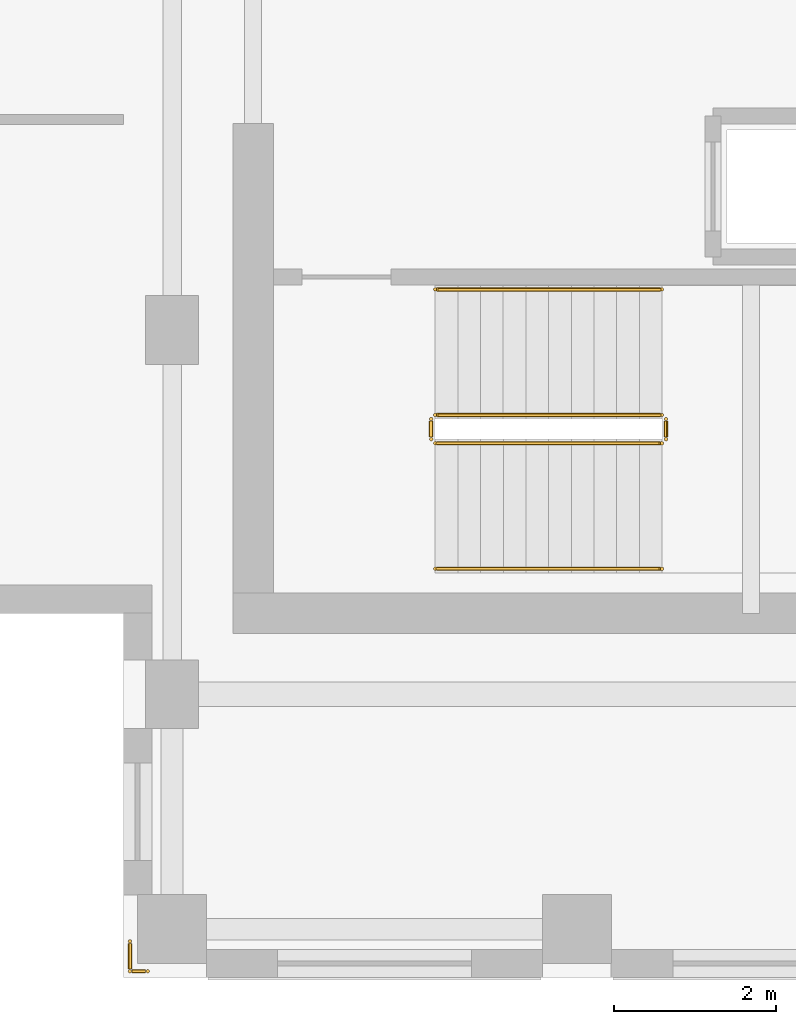
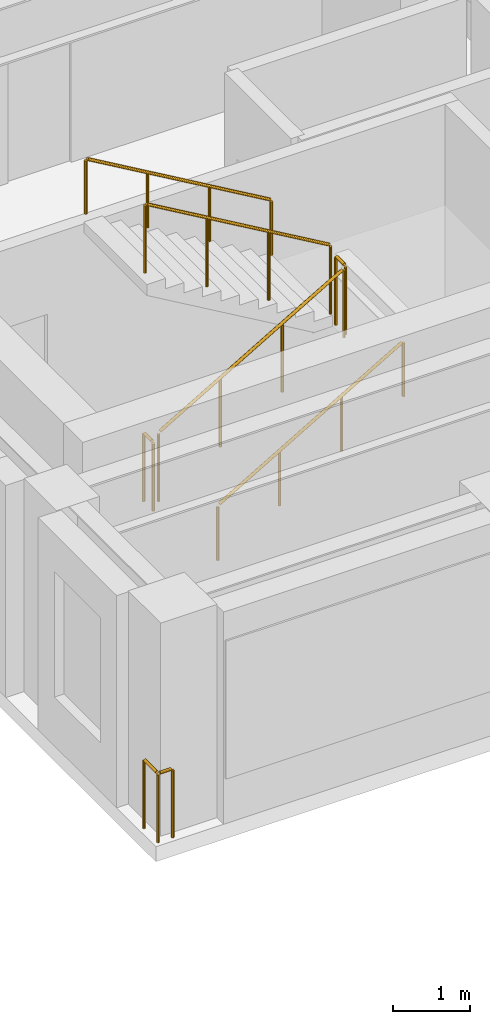
# One storey, part 13 of 14: 7 railings.
"""IFC4 building model written with IfcOpenShell, lengths in metres."""

from ifc_helpers import new_model, si_unit, direction, frame, origin, origin_2d, place, context, subcontext, project, spatial, circle, extrude, source, transform, mapped, material, layer, layer_set, type_object, element, save


model = new_model("IFC4")

# Units and contexts
model_context = context("Model", 3, precision=1e-05, world=origin(), true_north=direction((0.0, 1.0)))
body_context = subcontext(model_context, "Body", "Model", "MODEL_VIEW")
ifc_project = project(units=[si_unit("LENGTHUNIT", "METRE"), si_unit("AREAUNIT", "SQUARE_METRE"), si_unit("VOLUMEUNIT", "CUBIC_METRE"), si_unit("PLANEANGLEUNIT", "RADIAN"), si_unit("MASSUNIT", "GRAM", prefix="KILO")], contexts=[model_context])

# Site, building, storey
site_placement = place(None, origin())
site = spatial("IfcSite", under=ifc_project, at=site_placement, CompositionType="ELEMENT")
building_placement = place(site_placement, origin())
building = spatial("IfcBuilding", under=site, at=building_placement, Name="Kharzan Plaza Tower", CompositionType="ELEMENT")
storey_placement = place(building_placement, frame((0.0, 0.0, 212.39990234375)))
storey = spatial("IfcBuildingStorey", under=building, at=storey_placement, Name="L57", CompositionType="ELEMENT", Elevation=212.39990234375)

# Railings
ifc_material_1 = material(Name="Painted Galvanized Architectural Steel", Category="steel")
ifc_layer_1 = layer(ifc_material_1, 0.074951171875)
ifc_layer_set_1 = layer_set([ifc_layer_1], Name="Painted Galvanized Architectural Steel")
railing_type_1 = type_object("IfcRailingType", Name="RL-GUARD-1120", PredefinedType="BALUSTRADE", material=ifc_layer_set_1)
shared_shape_1 = source(origin(), body_context, "Body", "SweptSolid", [
    extrude(circle(Radius=0.02392578125, at=origin_2d()), frame((0.0, 0.0263671875, 1.09619140625), z_axis=(0.0, 1.0, 0.0), x_axis=(-1.0, 0.0, 0.0)), (0.0, 0.0, 1.0), 0.197021484375),
    extrude(circle(Radius=0.02099609375, at=origin_2d()), origin(), (0.0, 0.0, 1.0), 1.072021484375),
    extrude(circle(Radius=0.02099609375, at=origin_2d()), frame((0.0, 0.25, 0.0)), (0.0, 0.0, 1.0), 1.072021484375),
])
for number, where, name in (
    (1, (41.10009765625, 6.64990234375, 1.800048828125), "L57 ST-3 stair guard 2"),
    (2, (38.199951171875, 6.64990234375, 0.0), "L57 ST-3 stair guard 4"),
):
    element("IfcRailing", number, at=place(storey_placement, frame(where)), inside=storey, type_object=railing_type_1, Name=name, PredefinedType="BALUSTRADE", context=body_context, shape_type="MappedRepresentation", body=[
        mapped(shared_shape_1, transform((0.0, 0.0, 0.0), x_axis=(1.0, 0.0, 0.0), y_axis=(0.0, 1.0, 0.0), z_axis=(0.0, 0.0, 1.0))),
    ])
shared_shape_2 = source(origin(), body_context, "Body", "SweptSolid", [
    extrude(circle(Radius=0.02392578125, at=origin_2d()), frame((-0.02294921875, 0.0, 1.109375), z_axis=(-0.863360870873, 0.0, 0.504586966384), x_axis=(0.0, -1.0, 0.0)), (0.0, 0.0, 1.0), 3.190185546875),
    extrude(circle(Radius=0.02099609375, at=origin_2d()), origin(), (0.0, 0.0, 1.0), 1.072021484375),
    extrude(circle(Radius=0.02099609375, at=origin_2d()), frame((-0.933349609375, 0.0, 0.54541015625)), (0.0, 0.0, 1.0), 1.072021484375),
    extrude(circle(Radius=0.02099609375, at=origin_2d()), frame((-1.86669921875, 0.0, 1.091064453125)), (0.0, 0.0, 1.0), 1.072021484375),
    extrude(circle(Radius=0.02099609375, at=origin_2d()), frame((-2.800048828125, 0.0, 1.636474609375)), (0.0, 0.0, 1.0), 1.072021484375),
])
railing_1_placement = place(storey_placement, frame((41.050048828125, 6.949951171875, 1.963623046875)))
element("IfcRailing", 3, at=railing_1_placement, inside=storey, type_object=railing_type_1, Name="L57 ST-3 stair guard 3", PredefinedType="BALUSTRADE", context=body_context, shape_type="MappedRepresentation", body=[
    mapped(shared_shape_2, transform((0.0, 0.0, 0.0), x_axis=(1.0, 0.0, 0.0), y_axis=(0.0, 1.0, 0.0), z_axis=(0.0, 0.0, 1.0))),
])
ifc_material_2 = material(Name="Brushed Stainless Steel", Category="steel")
ifc_layer_2 = layer(ifc_material_2, 0.050048828125)
ifc_layer_set_2 = layer_set([ifc_layer_2], Name="Brushed Stainless Steel")
railing_type_2 = type_object("IfcRailingType", Name="RL-STAIR-HR920", PredefinedType="HANDRAIL", material=ifc_layer_set_2)
shared_shape_3 = source(origin(), body_context, "Body", "SweptSolid", [
    extrude(circle(Radius=0.02392578125, at=origin_2d()), frame((-0.02294921875, 0.0, 0.88916015625), z_axis=(-0.863360870873, 0.0, 0.504586966384), x_axis=(0.0, -1.0, 0.0)), (0.0, 0.0, 1.0), 3.190185546875),
    extrude(circle(Radius=0.02099609375, at=origin_2d()), origin(), (0.0, 0.0, 1.0), 0.851806640625),
    extrude(circle(Radius=0.02099609375, at=origin_2d()), frame((-0.933349609375, 0.0, 0.54541015625)), (0.0, 0.0, 1.0), 0.851806640625),
    extrude(circle(Radius=0.02099609375, at=origin_2d()), frame((-1.86669921875, 0.0, 1.091064453125)), (0.0, 0.0, 1.0), 0.851806640625),
    extrude(circle(Radius=0.02099609375, at=origin_2d()), frame((-2.800048828125, 0.0, 1.636474609375)), (0.0, 0.0, 1.0), 0.851806640625),
])
railing_2_placement = place(storey_placement, frame((41.050048828125, 8.5, 1.963623046875)))
element("IfcRailing", 4, at=railing_2_placement, inside=storey, type_object=railing_type_2, Name="L57 ST-3 stair handrail 2", PredefinedType="HANDRAIL", context=body_context, shape_type="MappedRepresentation", body=[
    mapped(shared_shape_3, transform((0.0, 0.0, 0.0), x_axis=(1.0, 0.0, 0.0), y_axis=(0.0, 1.0, 0.0), z_axis=(0.0, 0.0, 1.0))),
])
shared_shape_4 = source(origin(), body_context, "Body", "SweptSolid", [
    extrude(circle(Radius=0.02392578125, at=origin_2d()), frame((0.02294921875, 0.0, 1.109375), z_axis=(0.863393664356, 0.0, 0.504530851732), x_axis=(0.0, 1.0, 0.0)), (0.0, 0.0, 1.0), 3.190185546875),
    extrude(circle(Radius=0.02099609375, at=origin_2d()), origin(), (0.0, 0.0, 1.0), 1.072021484375),
    extrude(circle(Radius=0.02099609375, at=origin_2d()), frame((0.933349609375, 0.0, 0.54541015625)), (0.0, 0.0, 1.0), 1.072021484375),
    extrude(circle(Radius=0.02099609375, at=origin_2d()), frame((1.86669921875, 0.0, 1.0908203125)), (0.0, 0.0, 1.0), 1.072021484375),
    extrude(circle(Radius=0.02099609375, at=origin_2d()), frame((2.800048828125, 0.0, 1.63623046875)), (0.0, 0.0, 1.0), 1.072021484375),
])
railing_3_placement = place(storey_placement, frame((38.25, 6.60009765625, 0.163818359375)))
element("IfcRailing", 5, at=railing_3_placement, inside=storey, type_object=railing_type_1, Name="L57 ST-3 stair guard 1", PredefinedType="BALUSTRADE", context=body_context, shape_type="MappedRepresentation", body=[
    mapped(shared_shape_4, transform((0.0, 0.0, 0.0), x_axis=(1.0, 0.0, 0.0), y_axis=(0.0, 1.0, 0.0), z_axis=(0.0, 0.0, 1.0))),
])
shared_shape_5 = source(origin(), body_context, "Body", "SweptSolid", [
    extrude(circle(Radius=0.02392578125, at=origin_2d()), frame((0.02294921875, 0.0, 0.88916015625), z_axis=(0.863393664356, 0.0, 0.504530851732), x_axis=(0.0, 1.0, 0.0)), (0.0, 0.0, 1.0), 3.190185546875),
    extrude(circle(Radius=0.02099609375, at=origin_2d()), origin(), (0.0, 0.0, 1.0), 0.851806640625),
    extrude(circle(Radius=0.02099609375, at=origin_2d()), frame((0.933349609375, 0.0, 0.54541015625)), (0.0, 0.0, 1.0), 0.851806640625),
    extrude(circle(Radius=0.02099609375, at=origin_2d()), frame((1.86669921875, 0.0, 1.0908203125)), (0.0, 0.0, 1.0), 0.851806640625),
    extrude(circle(Radius=0.02099609375, at=origin_2d()), frame((2.800048828125, 0.0, 1.63623046875)), (0.0, 0.0, 1.0), 0.851806640625),
])
railing_4_placement = place(storey_placement, frame((38.25, 5.050048828125, 0.163818359375)))
element("IfcRailing", 6, at=railing_4_placement, inside=storey, type_object=railing_type_2, Name="L57 ST-3 stair handrail 1", PredefinedType="HANDRAIL", context=body_context, shape_type="MappedRepresentation", body=[
    mapped(shared_shape_5, transform((0.0, 0.0, 0.0), x_axis=(1.0, 0.0, 0.0), y_axis=(0.0, 1.0, 0.0), z_axis=(0.0, 0.0, 1.0))),
])
shared_shape_6 = source(origin(), body_context, "Body", "SweptSolid", [
    extrude(circle(Radius=0.02392578125, at=origin_2d()), frame((-0.0263671875, 0.0, 1.09619140625), z_axis=(-1.0, 0.0, 0.0), x_axis=(0.0, -1.0, 0.0)), (0.0, 0.0, 1.0), 0.1669921875),
    extrude(circle(Radius=0.02392578125, at=origin_2d()), frame((-0.219970703125, 0.0263671875, 1.09619140625), z_axis=(0.0, 1.0, 0.0), x_axis=(-1.0, 0.0, 0.0)), (0.0, 0.0, 1.0), 0.31689453125),
    extrude(circle(Radius=0.02099609375, at=origin_2d()), origin(), (0.0, 0.0, 1.0), 1.072021484375),
    extrude(circle(Radius=0.02099609375, at=origin_2d()), frame((-0.219970703125, 0.0, 0.0)), (0.0, 0.0, 1.0), 1.072021484375),
    extrude(circle(Radius=0.02099609375, at=origin_2d()), frame((-0.219970703125, 0.369873046875, 0.0)), (0.0, 0.0, 1.0), 1.072021484375),
])
railing_5_placement = place(storey_placement, frame((34.699951171875, 0.080078125, 0.0)))
element("IfcRailing", 7, at=railing_5_placement, inside=storey, type_object=railing_type_1, Name="L57 South-West Wing B Slot Corner Safety Guard", PredefinedType="BALUSTRADE", context=body_context, shape_type="MappedRepresentation", body=[
    mapped(shared_shape_6, transform((0.0, 0.0, 0.0), x_axis=(1.0, 0.0, 0.0), y_axis=(0.0, 1.0, 0.0), z_axis=(0.0, 0.0, 1.0))),
])

save(model, "model.ifc")
